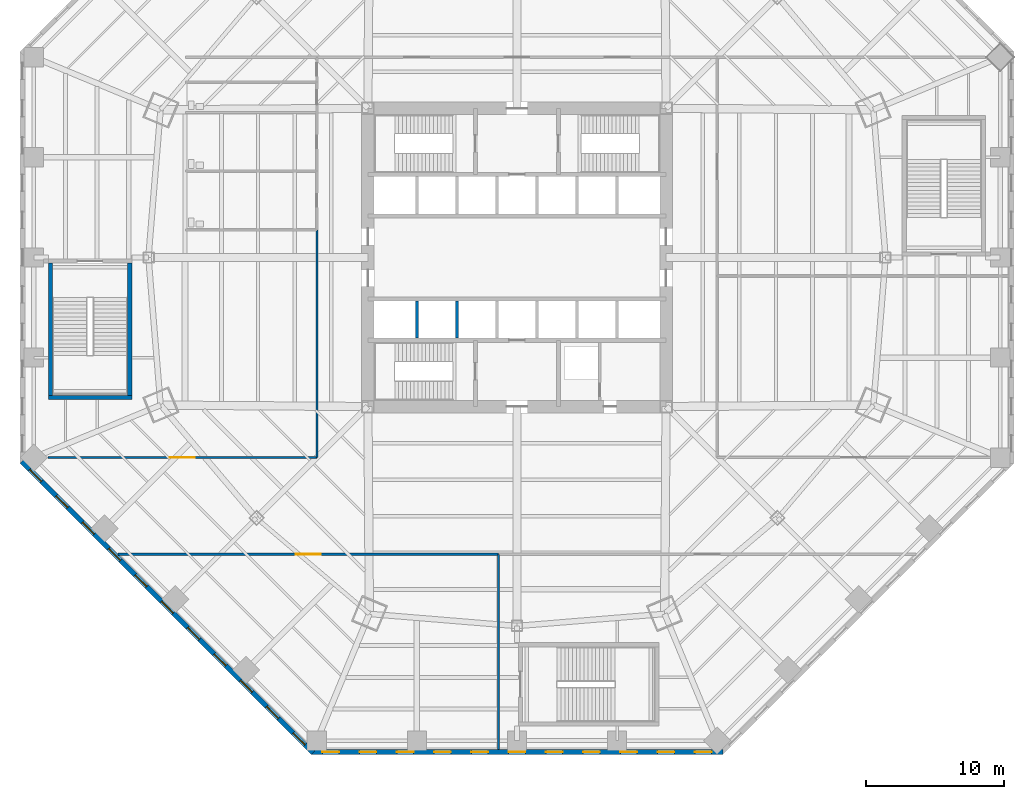
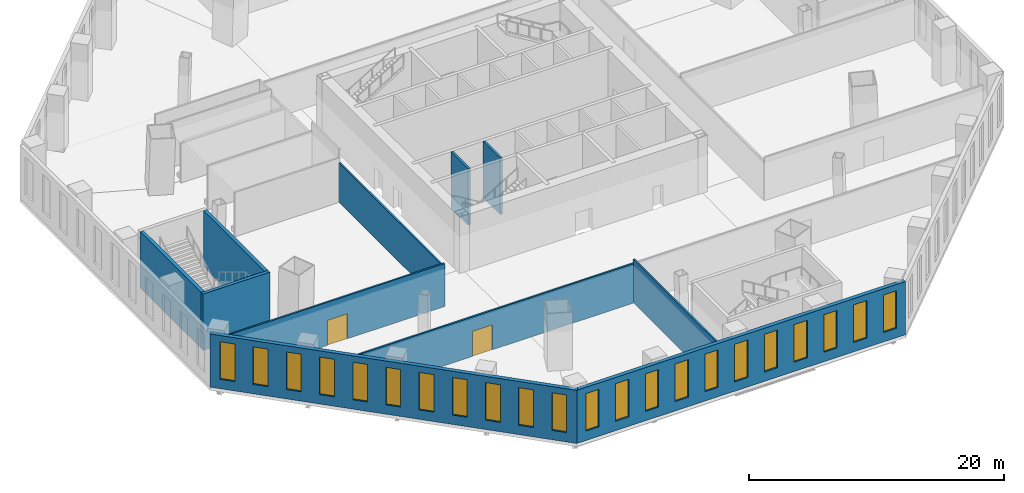
# One storey, part 8 of 18: 22 windows, 11 walls, 2 doors, 24 openings.
"""IFC4 building model written with IfcOpenShell, lengths in metres."""

from ifc_helpers import new_model, si_unit, direction, frame, frame_2d, origin, place, context, subcontext, project, spatial, rectangle, extrude, material, layer, layer_set, type_object, element, fill, save


model = new_model("IFC4")

# Units and contexts
model_context = context("Model", 3, precision=1e-05, world=origin(), true_north=direction((0.0, 1.0)))
body_context = subcontext(model_context, "Body", "Model", "MODEL_VIEW")
ifc_project = project(units=[si_unit("LENGTHUNIT", "METRE"), si_unit("AREAUNIT", "SQUARE_METRE"), si_unit("VOLUMEUNIT", "CUBIC_METRE"), si_unit("PLANEANGLEUNIT", "RADIAN"), si_unit("MASSUNIT", "GRAM", prefix="KILO")], contexts=[model_context])

# Site, building, storey
site_placement = place(None, origin())
site = spatial("IfcSite", under=ifc_project, at=site_placement, CompositionType="ELEMENT")
building_placement = place(site_placement, origin())
building = spatial("IfcBuilding", under=site, at=building_placement, Name="Mashrafa Tower", CompositionType="ELEMENT")
storey_placement = place(building_placement, frame((0.0, 0.0, 18.60009765625)))
storey = spatial("IfcBuildingStorey", under=building, at=storey_placement, Name="L03", CompositionType="ELEMENT", Elevation=18.60009765625)

# Wall, opening, door
ifc_material_1 = material(Name="Gypsum board on steel studs", Category="steel")
ifc_layer_1 = layer(ifc_material_1, 0.14990234375)
ifc_layer_set_1 = layer_set([ifc_layer_1], Name="Corridor partition 150 1 hr")
wall_type_1 = type_object("IfcWallType", Name="Corridor partition 150 1 hr", PredefinedType="PARTITIONING", material=ifc_layer_set_1)
wall_1_placement = place(storey_placement, frame((-33.985595703125, -14.5, 0.0), z_axis=(0.0, 0.0, 1.0), x_axis=(1.0, 0.0, 0.0)))
wall_1 = element("IfcWall", 1, at=wall_1_placement, inside=storey, type_object=wall_type_1, Name="Corridor wall L03-010", PredefinedType="PARTITIONING", context=body_context, shape_type="SweptSolid", body=[
    extrude(rectangle(XDim=19.485595703125, YDim=0.14990234375, at=frame_2d((9.74267578125, 0.0))), origin(), (0.0, 0.0, 1.0), 4.1298828125),
])
opening_1_placement = place(wall_1_placement, frame((8.843017578125, 0.0, 0.0)))
opening_1 = element("IfcOpeningElement", 2, at=opening_1_placement, cuts=wall_1, Name="Opening 03.005", PredefinedType="OPENING", context=body_context, shape_type="SweptSolid", body=[
    extrude(rectangle(XDim=1.800048828125, YDim=2.39990234375, at=frame_2d((0.89990234375, 1.199951171875))), frame((0.0, 0.0849609375, 0.0), z_axis=(0.0, -1.0, 0.0), x_axis=(1.0, 0.0, 0.0)), (0.0, 0.0, 1.0), 0.169921875),
])
ifc_material_2 = material(Name="Steel door", Category="steel")
door_type_1 = type_object("IfcDoorType", Name="Door pair 1800 x 2400 90 min", OperationType="DOUBLE_DOOR_SINGLE_SWING", PredefinedType="DOOR", material=ifc_material_2)
door_1_placement = place(opening_1_placement, origin())
door_1 = element("IfcDoor", 3, at=door_1_placement, inside=storey, type_object=door_type_1, Name="Food Hall Kitchen L03 door", OperationType="DOUBLE_DOOR_SINGLE_SWING", OverallHeight=2.39990234375, OverallWidth=1.800048828125, PredefinedType="DOOR", context=body_context, shape_type="SweptSolid", body=[
    extrude(rectangle(XDim=1.800048828125, YDim=2.39990234375, at=frame_2d((0.89990234375, 1.199951171875))), frame((0.0, 0.02490234375, 0.0), z_axis=(0.0, -1.0, 0.0), x_axis=(1.0, 0.0, 0.0)), (0.0, 0.0, 1.0), 0.050048828125),
])
fill(opening_1, door_1)

# Wall
wall_2_placement = place(storey_placement, frame((-14.5, -14.5, 0.0), z_axis=(0.0, 0.0, 1.0), x_axis=(0.0, 1.0, 0.0)))
element("IfcWall", 4, at=wall_2_placement, inside=storey, type_object=wall_type_1, Name="Corridor wall L03-011", PredefinedType="PARTITIONING", context=body_context, shape_type="SweptSolid", body=[
    extrude(rectangle(XDim=16.5, YDim=0.14990234375, at=frame_2d((8.25, 0.0))), origin(), (0.0, 0.0, 1.0), 3.789794921875),
])

# Wall, opening, door
wall_3_placement = place(storey_placement, frame((-28.916748046875, -21.5, 0.0), z_axis=(0.0, 0.0, 1.0), x_axis=(1.0, 0.0, 0.0)))
wall_3 = element("IfcWall", 5, at=wall_3_placement, inside=storey, type_object=wall_type_1, Name="Corridor wall L03-019", PredefinedType="PARTITIONING", context=body_context, shape_type="SweptSolid", body=[
    extrude(rectangle(XDim=27.567626953125, YDim=0.14990234375, at=frame_2d((13.78369140625, 0.0))), origin(), (0.0, 0.0, 1.0), 3.789794921875),
])
opening_2_placement = place(wall_3_placement, frame((12.8837890625, 0.0, 0.0)))
opening_2 = element("IfcOpeningElement", 6, at=opening_2_placement, cuts=wall_3, Name="Opening 03.012", PredefinedType="OPENING", context=body_context, shape_type="SweptSolid", body=[
    extrude(rectangle(XDim=1.800048828125, YDim=2.39990234375, at=frame_2d((0.89990234375, 1.199951171875))), frame((0.0, 0.0849609375, 0.0), z_axis=(0.0, -1.0, 0.0), x_axis=(1.0, 0.0, 0.0)), (0.0, 0.0, 1.0), 0.169921875),
])
ifc_material_3 = material(Name="Timber door", Category="wood")
door_type_2 = type_object("IfcDoorType", Name="Door pair 1800 x 2400", OperationType="DOUBLE_DOOR_SINGLE_SWING", PredefinedType="DOOR", material=ifc_material_3)
door_2_placement = place(opening_2_placement, origin())
door_2 = element("IfcDoor", 7, at=door_2_placement, inside=storey, type_object=door_type_2, Name="Retail Unit 304 door", OperationType="DOUBLE_DOOR_SINGLE_SWING", OverallHeight=2.39990234375, OverallWidth=1.800048828125, PredefinedType="DOOR", context=body_context, shape_type="SweptSolid", body=[
    extrude(rectangle(XDim=1.800048828125, YDim=2.39990234375, at=frame_2d((0.89990234375, 1.199951171875))), frame((0.0, 0.02490234375, 0.0), z_axis=(0.0, -1.0, 0.0), x_axis=(1.0, 0.0, 0.0)), (0.0, 0.0, 1.0), 0.050048828125),
])
fill(opening_2, door_2)

# Wall, openings, windows
ifc_material_4 = material(Name="Riyadh limestone cladding on blockwork", Category="masonry")
ifc_layer_2 = layer(ifc_material_4, 0.35009765625)
ifc_layer_set_2 = layer_set([ifc_layer_2], Name="Limestone-clad external wall 350")
wall_type_2 = type_object("IfcWallType", Name="Limestone-clad external wall 350", PredefinedType="SOLIDWALL", material=ifc_layer_set_2)
wall_4_placement = place(storey_placement, frame((-35.876220703125, -14.787841796875, 0.0), z_axis=(0.0, 0.0, 1.0), x_axis=(0.707106781187, -0.707106781187, 0.0)))
wall_4 = element("IfcWall", 8, at=wall_4_placement, inside=storey, type_object=wall_type_2, Name="Limestone-clad external wall L03 south-west", PredefinedType="SOLIDWALL", context=body_context, shape_type="SweptSolid", body=[
    extrude(rectangle(XDim=29.823486328125, YDim=0.35009765625, at=frame_2d((14.91162109375, 0.0))), origin(), (0.0, 0.0, 1.0), 5.099853515625),
])
opening_3_placement = place(wall_4_placement, frame((0.821533203125, 0.0, 0.89990234375)))
opening_3 = element("IfcOpeningElement", 9, at=opening_3_placement, cuts=wall_4, Name="Opening W2", PredefinedType="OPENING", context=body_context, shape_type="SweptSolid", body=[
    extrude(rectangle(XDim=1.199951171875, YDim=3.60009765625, at=frame_2d((0.60009765625, 1.800048828125))), frame((0.0, 0.18505859375, 0.0), z_axis=(0.0, -1.0, 0.0), x_axis=(1.0, 0.0, 0.0)), (0.0, 0.0, 1.0), 0.3701171875),
])
opening_4_placement = place(wall_4_placement, frame((3.51953125, 0.0, 0.89990234375)))
opening_4 = element("IfcOpeningElement", 10, at=opening_4_placement, cuts=wall_4, Name="Opening W2", PredefinedType="OPENING", context=body_context, shape_type="SweptSolid", body=[
    extrude(rectangle(XDim=1.199951171875, YDim=3.60009765625, at=frame_2d((0.60009765625, 1.800048828125))), frame((0.0, 0.18505859375, 0.0), z_axis=(0.0, -1.0, 0.0), x_axis=(1.0, 0.0, 0.0)), (0.0, 0.0, 1.0), 0.3701171875),
])
opening_5_placement = place(wall_4_placement, frame((6.217529296875, 0.0, 0.89990234375)))
opening_5 = element("IfcOpeningElement", 11, at=opening_5_placement, cuts=wall_4, Name="Opening W2", PredefinedType="OPENING", context=body_context, shape_type="SweptSolid", body=[
    extrude(rectangle(XDim=1.199951171875, YDim=3.60009765625, at=frame_2d((0.60009765625, 1.800048828125))), frame((0.0, 0.18505859375, 0.0), z_axis=(0.0, -1.0, 0.0), x_axis=(1.0, 0.0, 0.0)), (0.0, 0.0, 1.0), 0.3701171875),
])
opening_6_placement = place(wall_4_placement, frame((8.91552734375, 0.0, 0.89990234375)))
opening_6 = element("IfcOpeningElement", 12, at=opening_6_placement, cuts=wall_4, Name="Opening W2", PredefinedType="OPENING", context=body_context, shape_type="SweptSolid", body=[
    extrude(rectangle(XDim=1.199951171875, YDim=3.60009765625, at=frame_2d((0.60009765625, 1.800048828125))), frame((0.0, 0.18505859375, 0.0), z_axis=(0.0, -1.0, 0.0), x_axis=(1.0, 0.0, 0.0)), (0.0, 0.0, 1.0), 0.3701171875),
])
opening_7_placement = place(wall_4_placement, frame((11.61376953125, 0.0, 0.89990234375)))
opening_7 = element("IfcOpeningElement", 13, at=opening_7_placement, cuts=wall_4, Name="Opening W2", PredefinedType="OPENING", context=body_context, shape_type="SweptSolid", body=[
    extrude(rectangle(XDim=1.199951171875, YDim=3.60009765625, at=frame_2d((0.60009765625, 1.800048828125))), frame((0.0, 0.18505859375, 0.0), z_axis=(0.0, -1.0, 0.0), x_axis=(1.0, 0.0, 0.0)), (0.0, 0.0, 1.0), 0.3701171875),
])
opening_8_placement = place(wall_4_placement, frame((14.311767578125, 0.0, 0.89990234375)))
opening_8 = element("IfcOpeningElement", 14, at=opening_8_placement, cuts=wall_4, Name="Opening W2", PredefinedType="OPENING", context=body_context, shape_type="SweptSolid", body=[
    extrude(rectangle(XDim=1.199951171875, YDim=3.60009765625, at=frame_2d((0.60009765625, 1.800048828125))), frame((0.0, 0.18505859375, 0.0), z_axis=(0.0, -1.0, 0.0), x_axis=(1.0, 0.0, 0.0)), (0.0, 0.0, 1.0), 0.3701171875),
])
opening_9_placement = place(wall_4_placement, frame((17.009765625, 0.0, 0.89990234375)))
opening_9 = element("IfcOpeningElement", 15, at=opening_9_placement, cuts=wall_4, Name="Opening W2", PredefinedType="OPENING", context=body_context, shape_type="SweptSolid", body=[
    extrude(rectangle(XDim=1.199951171875, YDim=3.60009765625, at=frame_2d((0.60009765625, 1.800048828125))), frame((0.0, 0.18505859375, 0.0), z_axis=(0.0, -1.0, 0.0), x_axis=(1.0, 0.0, 0.0)), (0.0, 0.0, 1.0), 0.3701171875),
])
opening_10_placement = place(wall_4_placement, frame((19.707763671875, 0.0, 0.89990234375)))
opening_10 = element("IfcOpeningElement", 16, at=opening_10_placement, cuts=wall_4, Name="Opening W2", PredefinedType="OPENING", context=body_context, shape_type="SweptSolid", body=[
    extrude(rectangle(XDim=1.199951171875, YDim=3.60009765625, at=frame_2d((0.60009765625, 1.800048828125))), frame((0.0, 0.18505859375, 0.0), z_axis=(0.0, -1.0, 0.0), x_axis=(1.0, 0.0, 0.0)), (0.0, 0.0, 1.0), 0.3701171875),
])
opening_11_placement = place(wall_4_placement, frame((22.40576171875, 0.0, 0.89990234375)))
opening_11 = element("IfcOpeningElement", 17, at=opening_11_placement, cuts=wall_4, Name="Opening W2", PredefinedType="OPENING", context=body_context, shape_type="SweptSolid", body=[
    extrude(rectangle(XDim=1.199951171875, YDim=3.60009765625, at=frame_2d((0.60009765625, 1.800048828125))), frame((0.0, 0.18505859375, 0.0), z_axis=(0.0, -1.0, 0.0), x_axis=(1.0, 0.0, 0.0)), (0.0, 0.0, 1.0), 0.3701171875),
])
opening_12_placement = place(wall_4_placement, frame((25.103759765625, 0.0, 0.89990234375)))
opening_12 = element("IfcOpeningElement", 18, at=opening_12_placement, cuts=wall_4, Name="Opening W2", PredefinedType="OPENING", context=body_context, shape_type="SweptSolid", body=[
    extrude(rectangle(XDim=1.199951171875, YDim=3.60009765625, at=frame_2d((0.60009765625, 1.800048828125))), frame((0.0, 0.18505859375, 0.0), z_axis=(0.0, -1.0, 0.0), x_axis=(1.0, 0.0, 0.0)), (0.0, 0.0, 1.0), 0.3701171875),
])
opening_13_placement = place(wall_4_placement, frame((27.8017578125, 0.0, 0.89990234375)))
opening_13 = element("IfcOpeningElement", 19, at=opening_13_placement, cuts=wall_4, Name="Opening W2", PredefinedType="OPENING", context=body_context, shape_type="SweptSolid", body=[
    extrude(rectangle(XDim=1.199951171875, YDim=3.60009765625, at=frame_2d((0.60009765625, 1.800048828125))), frame((0.0, 0.18505859375, 0.0), z_axis=(0.0, -1.0, 0.0), x_axis=(1.0, 0.0, 0.0)), (0.0, 0.0, 1.0), 0.3701171875),
])
ifc_material_5 = material(Name="Bronze-framed insulated glazing", Category="glass")
window_type = type_object("IfcWindowType", Name="Tall punched window 1200 x 3600", PartitioningType="DOUBLE_PANEL_HORIZONTAL", PredefinedType="WINDOW", material=ifc_material_5)
window_1_placement = place(opening_3_placement, origin())
window_1 = element("IfcWindow", 20, at=window_1_placement, inside=storey, type_object=window_type, Name="Window W2 L03 south-west bay 1", OverallHeight=3.60009765625, OverallWidth=1.199951171875, PartitioningType="SINGLE_PANEL", PredefinedType="WINDOW", context=body_context, shape_type="SweptSolid", body=[
    extrude(rectangle(XDim=1.199951171875, YDim=3.60009765625, at=frame_2d((0.60009765625, 1.800048828125))), frame((0.0, 0.030029296875, 0.0), z_axis=(0.0, -1.0, 0.0), x_axis=(1.0, 0.0, 0.0)), (0.0, 0.0, 1.0), 0.06005859375),
])
fill(opening_3, window_1)
window_2_placement = place(opening_4_placement, origin())
window_2 = element("IfcWindow", 21, at=window_2_placement, inside=storey, type_object=window_type, Name="Window W2 L03 south-west bay 2", OverallHeight=3.60009765625, OverallWidth=1.199951171875, PartitioningType="SINGLE_PANEL", PredefinedType="WINDOW", context=body_context, shape_type="SweptSolid", body=[
    extrude(rectangle(XDim=1.199951171875, YDim=3.60009765625, at=frame_2d((0.60009765625, 1.800048828125))), frame((0.0, 0.030029296875, 0.0), z_axis=(0.0, -1.0, 0.0), x_axis=(1.0, 0.0, 0.0)), (0.0, 0.0, 1.0), 0.06005859375),
])
fill(opening_4, window_2)
window_3_placement = place(opening_5_placement, origin())
window_3 = element("IfcWindow", 22, at=window_3_placement, inside=storey, type_object=window_type, Name="Window W2 L03 south-west bay 3", OverallHeight=3.60009765625, OverallWidth=1.199951171875, PartitioningType="SINGLE_PANEL", PredefinedType="WINDOW", context=body_context, shape_type="SweptSolid", body=[
    extrude(rectangle(XDim=1.199951171875, YDim=3.60009765625, at=frame_2d((0.60009765625, 1.800048828125))), frame((0.0, 0.030029296875, 0.0), z_axis=(0.0, -1.0, 0.0), x_axis=(1.0, 0.0, 0.0)), (0.0, 0.0, 1.0), 0.06005859375),
])
fill(opening_5, window_3)
window_4_placement = place(opening_6_placement, origin())
window_4 = element("IfcWindow", 23, at=window_4_placement, inside=storey, type_object=window_type, Name="Window W2 L03 south-west bay 4", OverallHeight=3.60009765625, OverallWidth=1.199951171875, PartitioningType="SINGLE_PANEL", PredefinedType="WINDOW", context=body_context, shape_type="SweptSolid", body=[
    extrude(rectangle(XDim=1.199951171875, YDim=3.60009765625, at=frame_2d((0.60009765625, 1.800048828125))), frame((0.0, 0.030029296875, 0.0), z_axis=(0.0, -1.0, 0.0), x_axis=(1.0, 0.0, 0.0)), (0.0, 0.0, 1.0), 0.06005859375),
])
fill(opening_6, window_4)
window_5_placement = place(opening_7_placement, origin())
window_5 = element("IfcWindow", 24, at=window_5_placement, inside=storey, type_object=window_type, Name="Window W2 L03 south-west bay 5", OverallHeight=3.60009765625, OverallWidth=1.199951171875, PartitioningType="SINGLE_PANEL", PredefinedType="WINDOW", context=body_context, shape_type="SweptSolid", body=[
    extrude(rectangle(XDim=1.199951171875, YDim=3.60009765625, at=frame_2d((0.60009765625, 1.800048828125))), frame((0.0, 0.030029296875, 0.0), z_axis=(0.0, -1.0, 0.0), x_axis=(1.0, 0.0, 0.0)), (0.0, 0.0, 1.0), 0.06005859375),
])
fill(opening_7, window_5)
window_6_placement = place(opening_8_placement, origin())
window_6 = element("IfcWindow", 25, at=window_6_placement, inside=storey, type_object=window_type, Name="Window W2 L03 south-west bay 6", OverallHeight=3.60009765625, OverallWidth=1.199951171875, PartitioningType="SINGLE_PANEL", PredefinedType="WINDOW", context=body_context, shape_type="SweptSolid", body=[
    extrude(rectangle(XDim=1.199951171875, YDim=3.60009765625, at=frame_2d((0.60009765625, 1.800048828125))), frame((0.0, 0.030029296875, 0.0), z_axis=(0.0, -1.0, 0.0), x_axis=(1.0, 0.0, 0.0)), (0.0, 0.0, 1.0), 0.06005859375),
])
fill(opening_8, window_6)
window_7_placement = place(opening_9_placement, origin())
window_7 = element("IfcWindow", 26, at=window_7_placement, inside=storey, type_object=window_type, Name="Window W2 L03 south-west bay 7", OverallHeight=3.60009765625, OverallWidth=1.199951171875, PartitioningType="SINGLE_PANEL", PredefinedType="WINDOW", context=body_context, shape_type="SweptSolid", body=[
    extrude(rectangle(XDim=1.199951171875, YDim=3.60009765625, at=frame_2d((0.60009765625, 1.800048828125))), frame((0.0, 0.030029296875, 0.0), z_axis=(0.0, -1.0, 0.0), x_axis=(1.0, 0.0, 0.0)), (0.0, 0.0, 1.0), 0.06005859375),
])
fill(opening_9, window_7)
window_8_placement = place(opening_10_placement, origin())
window_8 = element("IfcWindow", 27, at=window_8_placement, inside=storey, type_object=window_type, Name="Window W2 L03 south-west bay 8", OverallHeight=3.60009765625, OverallWidth=1.199951171875, PartitioningType="SINGLE_PANEL", PredefinedType="WINDOW", context=body_context, shape_type="SweptSolid", body=[
    extrude(rectangle(XDim=1.199951171875, YDim=3.60009765625, at=frame_2d((0.60009765625, 1.800048828125))), frame((0.0, 0.030029296875, 0.0), z_axis=(0.0, -1.0, 0.0), x_axis=(1.0, 0.0, 0.0)), (0.0, 0.0, 1.0), 0.06005859375),
])
fill(opening_10, window_8)
window_9_placement = place(opening_11_placement, origin())
window_9 = element("IfcWindow", 28, at=window_9_placement, inside=storey, type_object=window_type, Name="Window W2 L03 south-west bay 9", OverallHeight=3.60009765625, OverallWidth=1.199951171875, PartitioningType="SINGLE_PANEL", PredefinedType="WINDOW", context=body_context, shape_type="SweptSolid", body=[
    extrude(rectangle(XDim=1.199951171875, YDim=3.60009765625, at=frame_2d((0.60009765625, 1.800048828125))), frame((0.0, 0.030029296875, 0.0), z_axis=(0.0, -1.0, 0.0), x_axis=(1.0, 0.0, 0.0)), (0.0, 0.0, 1.0), 0.06005859375),
])
fill(opening_11, window_9)
window_10_placement = place(opening_12_placement, origin())
window_10 = element("IfcWindow", 29, at=window_10_placement, inside=storey, type_object=window_type, Name="Window W2 L03 south-west bay 10", OverallHeight=3.60009765625, OverallWidth=1.199951171875, PartitioningType="SINGLE_PANEL", PredefinedType="WINDOW", context=body_context, shape_type="SweptSolid", body=[
    extrude(rectangle(XDim=1.199951171875, YDim=3.60009765625, at=frame_2d((0.60009765625, 1.800048828125))), frame((0.0, 0.030029296875, 0.0), z_axis=(0.0, -1.0, 0.0), x_axis=(1.0, 0.0, 0.0)), (0.0, 0.0, 1.0), 0.06005859375),
])
fill(opening_12, window_10)
window_11_placement = place(opening_13_placement, origin())
window_11 = element("IfcWindow", 30, at=window_11_placement, inside=storey, type_object=window_type, Name="Window W2 L03 south-west bay 11", OverallHeight=3.60009765625, OverallWidth=1.199951171875, PartitioningType="SINGLE_PANEL", PredefinedType="WINDOW", context=body_context, shape_type="SweptSolid", body=[
    extrude(rectangle(XDim=1.199951171875, YDim=3.60009765625, at=frame_2d((0.60009765625, 1.800048828125))), frame((0.0, 0.030029296875, 0.0), z_axis=(0.0, -1.0, 0.0), x_axis=(1.0, 0.0, 0.0)), (0.0, 0.0, 1.0), 0.06005859375),
])
fill(opening_13, window_11)

wall_5_placement = place(storey_placement, frame((-14.91162109375, -35.824951171875, 0.0), z_axis=(0.0, 0.0, 1.0), x_axis=(1.0, 0.0, 0.0)))
wall_5 = element("IfcWall", 31, at=wall_5_placement, inside=storey, type_object=wall_type_2, Name="Limestone-clad external wall L03 south", PredefinedType="SOLIDWALL", context=body_context, shape_type="SweptSolid", body=[
    extrude(rectangle(XDim=29.8232421875, YDim=0.35009765625, at=frame_2d((14.91162109375, 0.0))), origin(), (0.0, 0.0, 1.0), 5.099853515625),
])
opening_14_placement = place(wall_5_placement, frame((0.821533203125, 0.0, 0.89990234375)))
opening_14 = element("IfcOpeningElement", 32, at=opening_14_placement, cuts=wall_5, Name="Opening W2", PredefinedType="OPENING", context=body_context, shape_type="SweptSolid", body=[
    extrude(rectangle(XDim=1.199951171875, YDim=3.60009765625, at=frame_2d((0.60009765625, 1.800048828125))), frame((0.0, 0.18505859375, 0.0), z_axis=(0.0, -1.0, 0.0), x_axis=(1.0, 0.0, 0.0)), (0.0, 0.0, 1.0), 0.3701171875),
])
opening_15_placement = place(wall_5_placement, frame((3.51953125, 0.0, 0.89990234375)))
opening_15 = element("IfcOpeningElement", 33, at=opening_15_placement, cuts=wall_5, Name="Opening W2", PredefinedType="OPENING", context=body_context, shape_type="SweptSolid", body=[
    extrude(rectangle(XDim=1.199951171875, YDim=3.60009765625, at=frame_2d((0.60009765625, 1.800048828125))), frame((0.0, 0.18505859375, 0.0), z_axis=(0.0, -1.0, 0.0), x_axis=(1.0, 0.0, 0.0)), (0.0, 0.0, 1.0), 0.3701171875),
])
opening_16_placement = place(wall_5_placement, frame((6.217529296875, 0.0, 0.89990234375)))
opening_16 = element("IfcOpeningElement", 34, at=opening_16_placement, cuts=wall_5, Name="Opening W2", PredefinedType="OPENING", context=body_context, shape_type="SweptSolid", body=[
    extrude(rectangle(XDim=1.199951171875, YDim=3.60009765625, at=frame_2d((0.60009765625, 1.800048828125))), frame((0.0, 0.18505859375, 0.0), z_axis=(0.0, -1.0, 0.0), x_axis=(1.0, 0.0, 0.0)), (0.0, 0.0, 1.0), 0.3701171875),
])
opening_17_placement = place(wall_5_placement, frame((8.91552734375, 0.0, 0.89990234375)))
opening_17 = element("IfcOpeningElement", 35, at=opening_17_placement, cuts=wall_5, Name="Opening W2", PredefinedType="OPENING", context=body_context, shape_type="SweptSolid", body=[
    extrude(rectangle(XDim=1.199951171875, YDim=3.60009765625, at=frame_2d((0.60009765625, 1.800048828125))), frame((0.0, 0.18505859375, 0.0), z_axis=(0.0, -1.0, 0.0), x_axis=(1.0, 0.0, 0.0)), (0.0, 0.0, 1.0), 0.3701171875),
])
opening_18_placement = place(wall_5_placement, frame((11.61376953125, 0.0, 0.89990234375)))
opening_18 = element("IfcOpeningElement", 36, at=opening_18_placement, cuts=wall_5, Name="Opening W2", PredefinedType="OPENING", context=body_context, shape_type="SweptSolid", body=[
    extrude(rectangle(XDim=1.199951171875, YDim=3.60009765625, at=frame_2d((0.60009765625, 1.800048828125))), frame((0.0, 0.18505859375, 0.0), z_axis=(0.0, -1.0, 0.0), x_axis=(1.0, 0.0, 0.0)), (0.0, 0.0, 1.0), 0.3701171875),
])
opening_19_placement = place(wall_5_placement, frame((14.311767578125, 0.0, 0.89990234375)))
opening_19 = element("IfcOpeningElement", 37, at=opening_19_placement, cuts=wall_5, Name="Opening W2", PredefinedType="OPENING", context=body_context, shape_type="SweptSolid", body=[
    extrude(rectangle(XDim=1.199951171875, YDim=3.60009765625, at=frame_2d((0.60009765625, 1.800048828125))), frame((0.0, 0.18505859375, 0.0), z_axis=(0.0, -1.0, 0.0), x_axis=(1.0, 0.0, 0.0)), (0.0, 0.0, 1.0), 0.3701171875),
])
opening_20_placement = place(wall_5_placement, frame((17.009765625, 0.0, 0.89990234375)))
opening_20 = element("IfcOpeningElement", 38, at=opening_20_placement, cuts=wall_5, Name="Opening W2", PredefinedType="OPENING", context=body_context, shape_type="SweptSolid", body=[
    extrude(rectangle(XDim=1.199951171875, YDim=3.60009765625, at=frame_2d((0.60009765625, 1.800048828125))), frame((0.0, 0.18505859375, 0.0), z_axis=(0.0, -1.0, 0.0), x_axis=(1.0, 0.0, 0.0)), (0.0, 0.0, 1.0), 0.3701171875),
])
opening_21_placement = place(wall_5_placement, frame((19.707763671875, 0.0, 0.89990234375)))
opening_21 = element("IfcOpeningElement", 39, at=opening_21_placement, cuts=wall_5, Name="Opening W2", PredefinedType="OPENING", context=body_context, shape_type="SweptSolid", body=[
    extrude(rectangle(XDim=1.199951171875, YDim=3.60009765625, at=frame_2d((0.60009765625, 1.800048828125))), frame((0.0, 0.18505859375, 0.0), z_axis=(0.0, -1.0, 0.0), x_axis=(1.0, 0.0, 0.0)), (0.0, 0.0, 1.0), 0.3701171875),
])
opening_22_placement = place(wall_5_placement, frame((22.40576171875, 0.0, 0.89990234375)))
opening_22 = element("IfcOpeningElement", 40, at=opening_22_placement, cuts=wall_5, Name="Opening W2", PredefinedType="OPENING", context=body_context, shape_type="SweptSolid", body=[
    extrude(rectangle(XDim=1.199951171875, YDim=3.60009765625, at=frame_2d((0.60009765625, 1.800048828125))), frame((0.0, 0.18505859375, 0.0), z_axis=(0.0, -1.0, 0.0), x_axis=(1.0, 0.0, 0.0)), (0.0, 0.0, 1.0), 0.3701171875),
])
opening_23_placement = place(wall_5_placement, frame((25.103759765625, 0.0, 0.89990234375)))
opening_23 = element("IfcOpeningElement", 41, at=opening_23_placement, cuts=wall_5, Name="Opening W2", PredefinedType="OPENING", context=body_context, shape_type="SweptSolid", body=[
    extrude(rectangle(XDim=1.199951171875, YDim=3.60009765625, at=frame_2d((0.60009765625, 1.800048828125))), frame((0.0, 0.18505859375, 0.0), z_axis=(0.0, -1.0, 0.0), x_axis=(1.0, 0.0, 0.0)), (0.0, 0.0, 1.0), 0.3701171875),
])
opening_24_placement = place(wall_5_placement, frame((27.8017578125, 0.0, 0.89990234375)))
opening_24 = element("IfcOpeningElement", 42, at=opening_24_placement, cuts=wall_5, Name="Opening W2", PredefinedType="OPENING", context=body_context, shape_type="SweptSolid", body=[
    extrude(rectangle(XDim=1.199951171875, YDim=3.60009765625, at=frame_2d((0.60009765625, 1.800048828125))), frame((0.0, 0.18505859375, 0.0), z_axis=(0.0, -1.0, 0.0), x_axis=(1.0, 0.0, 0.0)), (0.0, 0.0, 1.0), 0.3701171875),
])
window_12_placement = place(opening_14_placement, origin())
window_12 = element("IfcWindow", 43, at=window_12_placement, inside=storey, type_object=window_type, Name="Window W2 L03 south bay 1", OverallHeight=3.60009765625, OverallWidth=1.199951171875, PartitioningType="SINGLE_PANEL", PredefinedType="WINDOW", context=body_context, shape_type="SweptSolid", body=[
    extrude(rectangle(XDim=1.199951171875, YDim=3.60009765625, at=frame_2d((0.60009765625, 1.800048828125))), frame((0.0, 0.030029296875, 0.0), z_axis=(0.0, -1.0, 0.0), x_axis=(1.0, 0.0, 0.0)), (0.0, 0.0, 1.0), 0.06005859375),
])
fill(opening_14, window_12)
window_13_placement = place(opening_15_placement, origin())
window_13 = element("IfcWindow", 44, at=window_13_placement, inside=storey, type_object=window_type, Name="Window W2 L03 south bay 2", OverallHeight=3.60009765625, OverallWidth=1.199951171875, PartitioningType="SINGLE_PANEL", PredefinedType="WINDOW", context=body_context, shape_type="SweptSolid", body=[
    extrude(rectangle(XDim=1.199951171875, YDim=3.60009765625, at=frame_2d((0.60009765625, 1.800048828125))), frame((0.0, 0.030029296875, 0.0), z_axis=(0.0, -1.0, 0.0), x_axis=(1.0, 0.0, 0.0)), (0.0, 0.0, 1.0), 0.06005859375),
])
fill(opening_15, window_13)
window_14_placement = place(opening_16_placement, origin())
window_14 = element("IfcWindow", 45, at=window_14_placement, inside=storey, type_object=window_type, Name="Window W2 L03 south bay 3", OverallHeight=3.60009765625, OverallWidth=1.199951171875, PartitioningType="SINGLE_PANEL", PredefinedType="WINDOW", context=body_context, shape_type="SweptSolid", body=[
    extrude(rectangle(XDim=1.199951171875, YDim=3.60009765625, at=frame_2d((0.60009765625, 1.800048828125))), frame((0.0, 0.030029296875, 0.0), z_axis=(0.0, -1.0, 0.0), x_axis=(1.0, 0.0, 0.0)), (0.0, 0.0, 1.0), 0.06005859375),
])
fill(opening_16, window_14)
window_15_placement = place(opening_17_placement, origin())
window_15 = element("IfcWindow", 46, at=window_15_placement, inside=storey, type_object=window_type, Name="Window W2 L03 south bay 4", OverallHeight=3.60009765625, OverallWidth=1.199951171875, PartitioningType="SINGLE_PANEL", PredefinedType="WINDOW", context=body_context, shape_type="SweptSolid", body=[
    extrude(rectangle(XDim=1.199951171875, YDim=3.60009765625, at=frame_2d((0.60009765625, 1.800048828125))), frame((0.0, 0.030029296875, 0.0), z_axis=(0.0, -1.0, 0.0), x_axis=(1.0, 0.0, 0.0)), (0.0, 0.0, 1.0), 0.06005859375),
])
fill(opening_17, window_15)
window_16_placement = place(opening_18_placement, origin())
window_16 = element("IfcWindow", 47, at=window_16_placement, inside=storey, type_object=window_type, Name="Window W2 L03 south bay 5", OverallHeight=3.60009765625, OverallWidth=1.199951171875, PartitioningType="SINGLE_PANEL", PredefinedType="WINDOW", context=body_context, shape_type="SweptSolid", body=[
    extrude(rectangle(XDim=1.199951171875, YDim=3.60009765625, at=frame_2d((0.60009765625, 1.800048828125))), frame((0.0, 0.030029296875, 0.0), z_axis=(0.0, -1.0, 0.0), x_axis=(1.0, 0.0, 0.0)), (0.0, 0.0, 1.0), 0.06005859375),
])
fill(opening_18, window_16)
window_17_placement = place(opening_19_placement, origin())
window_17 = element("IfcWindow", 48, at=window_17_placement, inside=storey, type_object=window_type, Name="Window W2 L03 south bay 6", OverallHeight=3.60009765625, OverallWidth=1.199951171875, PartitioningType="SINGLE_PANEL", PredefinedType="WINDOW", context=body_context, shape_type="SweptSolid", body=[
    extrude(rectangle(XDim=1.199951171875, YDim=3.60009765625, at=frame_2d((0.60009765625, 1.800048828125))), frame((0.0, 0.030029296875, 0.0), z_axis=(0.0, -1.0, 0.0), x_axis=(1.0, 0.0, 0.0)), (0.0, 0.0, 1.0), 0.06005859375),
])
fill(opening_19, window_17)
window_18_placement = place(opening_20_placement, origin())
window_18 = element("IfcWindow", 49, at=window_18_placement, inside=storey, type_object=window_type, Name="Window W2 L03 south bay 7", OverallHeight=3.60009765625, OverallWidth=1.199951171875, PartitioningType="SINGLE_PANEL", PredefinedType="WINDOW", context=body_context, shape_type="SweptSolid", body=[
    extrude(rectangle(XDim=1.199951171875, YDim=3.60009765625, at=frame_2d((0.60009765625, 1.800048828125))), frame((0.0, 0.030029296875, 0.0), z_axis=(0.0, -1.0, 0.0), x_axis=(1.0, 0.0, 0.0)), (0.0, 0.0, 1.0), 0.06005859375),
])
fill(opening_20, window_18)
window_19_placement = place(opening_21_placement, origin())
window_19 = element("IfcWindow", 50, at=window_19_placement, inside=storey, type_object=window_type, Name="Window W2 L03 south bay 8", OverallHeight=3.60009765625, OverallWidth=1.199951171875, PartitioningType="SINGLE_PANEL", PredefinedType="WINDOW", context=body_context, shape_type="SweptSolid", body=[
    extrude(rectangle(XDim=1.199951171875, YDim=3.60009765625, at=frame_2d((0.60009765625, 1.800048828125))), frame((0.0, 0.030029296875, 0.0), z_axis=(0.0, -1.0, 0.0), x_axis=(1.0, 0.0, 0.0)), (0.0, 0.0, 1.0), 0.06005859375),
])
fill(opening_21, window_19)
window_20_placement = place(opening_22_placement, origin())
window_20 = element("IfcWindow", 51, at=window_20_placement, inside=storey, type_object=window_type, Name="Window W2 L03 south bay 9", OverallHeight=3.60009765625, OverallWidth=1.199951171875, PartitioningType="SINGLE_PANEL", PredefinedType="WINDOW", context=body_context, shape_type="SweptSolid", body=[
    extrude(rectangle(XDim=1.199951171875, YDim=3.60009765625, at=frame_2d((0.60009765625, 1.800048828125))), frame((0.0, 0.030029296875, 0.0), z_axis=(0.0, -1.0, 0.0), x_axis=(1.0, 0.0, 0.0)), (0.0, 0.0, 1.0), 0.06005859375),
])
fill(opening_22, window_20)
window_21_placement = place(opening_23_placement, origin())
window_21 = element("IfcWindow", 52, at=window_21_placement, inside=storey, type_object=window_type, Name="Window W2 L03 south bay 10", OverallHeight=3.60009765625, OverallWidth=1.199951171875, PartitioningType="SINGLE_PANEL", PredefinedType="WINDOW", context=body_context, shape_type="SweptSolid", body=[
    extrude(rectangle(XDim=1.199951171875, YDim=3.60009765625, at=frame_2d((0.60009765625, 1.800048828125))), frame((0.0, 0.030029296875, 0.0), z_axis=(0.0, -1.0, 0.0), x_axis=(1.0, 0.0, 0.0)), (0.0, 0.0, 1.0), 0.06005859375),
])
fill(opening_23, window_21)
window_22_placement = place(opening_24_placement, origin())
window_22 = element("IfcWindow", 53, at=window_22_placement, inside=storey, type_object=window_type, Name="Window W2 L03 south bay 11", OverallHeight=3.60009765625, OverallWidth=1.199951171875, PartitioningType="SINGLE_PANEL", PredefinedType="WINDOW", context=body_context, shape_type="SweptSolid", body=[
    extrude(rectangle(XDim=1.199951171875, YDim=3.60009765625, at=frame_2d((0.60009765625, 1.800048828125))), frame((0.0, 0.030029296875, 0.0), z_axis=(0.0, -1.0, 0.0), x_axis=(1.0, 0.0, 0.0)), (0.0, 0.0, 1.0), 0.06005859375),
])
fill(opening_24, window_22)

# Walls
ifc_material_6 = material(Name="Gypsum board on steel studs", Category="steel")
ifc_layer_3 = layer(ifc_material_6, 0.14990234375)
ifc_layer_set_3 = layer_set([ifc_layer_3], Name="Partition 150")
wall_type_3 = type_object("IfcWallType", Name="Partition 150", PredefinedType="PARTITIONING", material=ifc_layer_set_3)
wall_6_placement = place(storey_placement, frame((-1.35009765625, -21.5, 0.0), z_axis=(0.0, 0.0, 1.0), x_axis=(0.0, -1.0, 0.0)))
element("IfcWall", 54, at=wall_6_placement, inside=storey, type_object=wall_type_3, Name="Partition wall L03-020", PredefinedType="PARTITIONING", context=body_context, shape_type="SweptSolid", body=[
    extrude(rectangle(XDim=14.14990234375, YDim=0.14990234375, at=frame_2d((7.074951171875, 0.0))), origin(), (0.0, 0.0, 1.0), 4.162841796875),
])
ifc_material_7 = material(Name="Gypsum shaft wall on steel studs", Category="steel")
ifc_layer_4 = layer(ifc_material_7, 0.199951171875)
ifc_layer_set_4 = layer_set([ifc_layer_4], Name="Shaft divider wall 200 2 hr")
wall_type_4 = type_object("IfcWallType", Name="Shaft divider wall 200 2 hr", PredefinedType="PARTITIONING", material=ifc_layer_set_4)
for number, where, z_axis, x_axis, name in (
    (55, (-7.25, -5.85009765625, 0.0), (0.0, 0.0, 1.0), (0.0, 1.0, 0.0), "Shaft divider wall S1 L03"),
    (56, (-4.35009765625, -5.85009765625, 0.0), (0.0, 0.0, 1.0), (0.0, 1.0, 0.0), "Shaft divider wall S2 L03"),
):
    element("IfcWall", number, at=place(storey_placement, frame(where, z_axis=z_axis, x_axis=x_axis)), inside=storey, type_object=wall_type_4, Name=name, PredefinedType="PARTITIONING", context=body_context, shape_type="SweptSolid", body=[
        extrude(rectangle(XDim=2.7001953125, YDim=0.199951171875, at=frame_2d((1.35009765625, 0.0))), origin(), (0.0, 0.0, 1.0), 5.39990234375),
    ])
ifc_material_8 = material(Name="Concrete C35/45", Category="concrete")
ifc_layer_5 = layer(ifc_material_8, 0.300048828125)
ifc_layer_set_5 = layer_set([ifc_layer_5], Name="Stair core wall 300 3 hr")
wall_type_5 = type_object("IfcWallType", Name="Stair core wall 300 3 hr", PredefinedType="SOLIDWALL", material=ifc_layer_set_5)
wall_7_placement = place(storey_placement, frame((-33.949951171875, -10.14990234375, 0.0), z_axis=(0.0, 0.0, 1.0), x_axis=(1.0, 0.0, 0.0)))
element("IfcWall", 57, at=wall_7_placement, inside=storey, type_object=wall_type_5, Name="Stair P3 core wall S L03", PredefinedType="SOLIDWALL", context=body_context, shape_type="SweptSolid", body=[
    extrude(rectangle(XDim=6.050048828125, YDim=0.300048828125, at=frame_2d((3.02490234375, 0.0))), origin(), (0.0, 0.0, 1.0), 5.39990234375),
])
for number, where, z_axis, x_axis, name in (
    (58, (-33.800048828125, -0.39990234375, 0.0), (0.0, 0.0, 1.0), (0.0, -1.0, 0.0), "Stair P3 core wall W L03"),
    (59, (-28.050048828125, -10.0, 0.0), (0.0, 0.0, 1.0), (0.0, 1.0, 0.0), "Stair P3 core wall E L03"),
):
    element("IfcWall", number, at=place(storey_placement, frame(where, z_axis=z_axis, x_axis=x_axis)), inside=storey, type_object=wall_type_5, Name=name, PredefinedType="SOLIDWALL", context=body_context, shape_type="SweptSolid", body=[
        extrude(rectangle(XDim=9.60009765625, YDim=0.300048828125, at=frame_2d((4.800048828125, 0.0))), origin(), (0.0, 0.0, 1.0), 5.39990234375),
    ])

save(model, "model.ifc")
